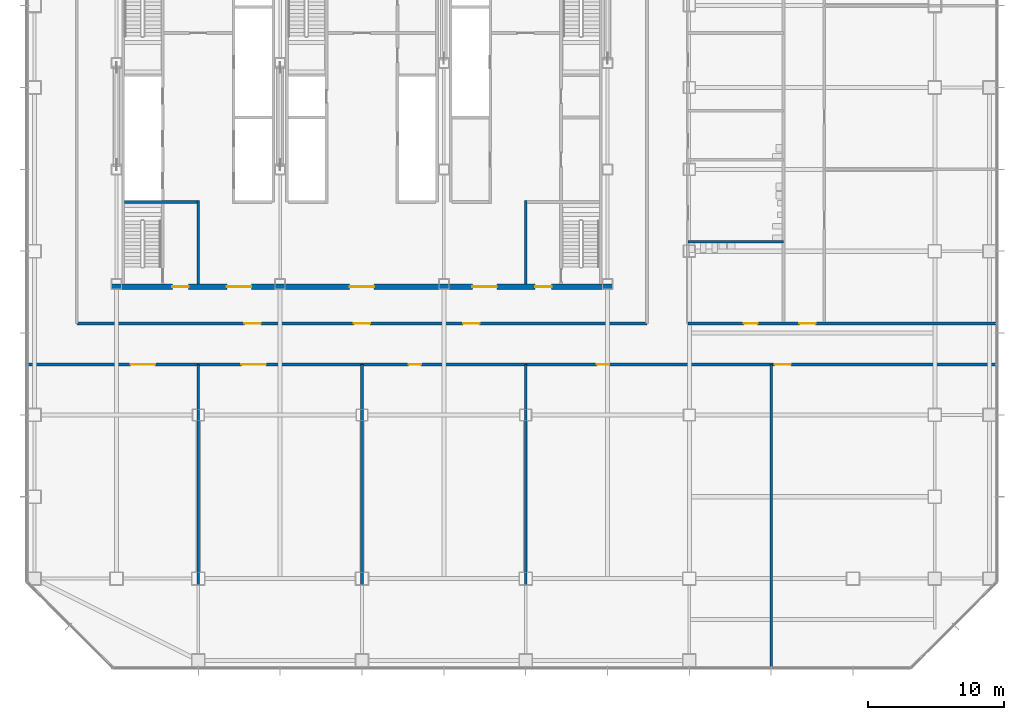
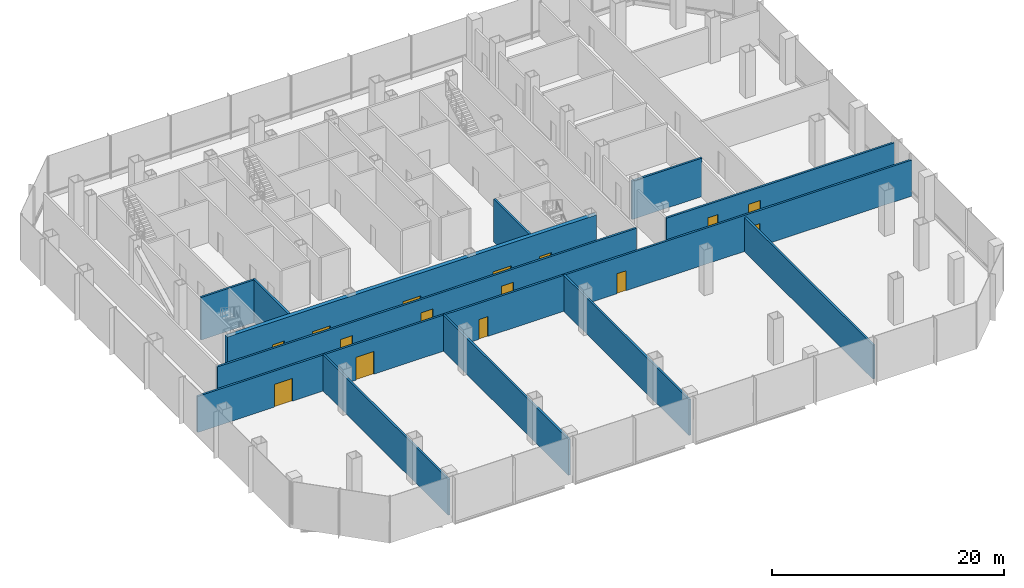
# One storey, part 23 of 34: 15 doors, 12 walls, 15 openings.
"""IFC4 building model written with IfcOpenShell, lengths in metres."""

from ifc_helpers import new_model, si_unit, direction, frame, frame_2d, origin, place, context, subcontext, project, spatial, rectangle, extrude, material, layer, layer_set, type_object, element, fill, save


model = new_model("IFC4")

# Units and contexts
model_context = context("Model", 3, precision=1e-05, world=origin(), true_north=direction((0.0, 1.0)))
body_context = subcontext(model_context, "Body", "Model", "MODEL_VIEW")
ifc_project = project(units=[si_unit("LENGTHUNIT", "METRE"), si_unit("AREAUNIT", "SQUARE_METRE"), si_unit("VOLUMEUNIT", "CUBIC_METRE"), si_unit("PLANEANGLEUNIT", "RADIAN"), si_unit("MASSUNIT", "GRAM", prefix="KILO")], contexts=[model_context])

# Site, building, storey
site_placement = place(None, origin())
site = spatial("IfcSite", under=ifc_project, at=site_placement, CompositionType="ELEMENT")
building_placement = place(site_placement, origin())
building = spatial("IfcBuilding", under=site, at=building_placement, Name="Sorahane Residences", CompositionType="ELEMENT")
storey_placement = place(building_placement, frame((0.0, 0.0, 39.60009765625)))
storey = spatial("IfcBuildingStorey", under=building, at=storey_placement, Name="L06", CompositionType="ELEMENT", Elevation=39.60009765625)

# Walls
ifc_material_1 = material(Name="Concrete blockwork C20 wall", Category="masonry")
ifc_layer_1 = layer(ifc_material_1, 0.199951171875)
ifc_layer_set_1 = layer_set([ifc_layer_1], Name="Corridor wall 200 EI 120")
wall_type_1 = type_object("IfcWallType", Name="Corridor wall 200 EI 120", PredefinedType="SOLIDWALL", material=ifc_layer_set_1)
for number, where, z_axis, x_axis, name in (
    (1, (12.0, -6.0, 0.0), (0.0, 0.0, 1.0), (0.0, 1.0, 0.0), "L06 corridor wall"),
    (2, (24.0, -6.0, 0.0), (0.0, 0.0, 1.0), (0.0, 1.0, 0.0), "L06 corridor wall"),
    (3, (36.0, -6.0, 0.0), (0.0, 0.0, 1.0), (0.0, 1.0, 0.0), "L06 corridor wall"),
):
    element("IfcWall", number, at=place(storey_placement, frame(where, z_axis=z_axis, x_axis=x_axis)), inside=storey, type_object=wall_type_1, Name=name, PredefinedType="SOLIDWALL", context=body_context, shape_type="SweptSolid", body=[
        extrude(rectangle(XDim=21.699951171875, YDim=0.199951171875, at=frame_2d((10.85009765625, 0.0))), origin(), (0.0, 0.0, 1.0), 3.7998046875),
    ])
wall_1_placement = place(storey_placement, frame((54.0, -6.60009765625, 0.0), z_axis=(0.0, 0.0, 1.0), x_axis=(0.0, 1.0, 0.0)))
element("IfcWall", 4, at=wall_1_placement, inside=storey, type_object=wall_type_1, Name="L06 corridor wall", PredefinedType="SOLIDWALL", context=body_context, shape_type="SweptSolid", body=[
    extrude(rectangle(XDim=22.300048828125, YDim=0.199951171875, at=frame_2d((11.14990234375, 0.0))), origin(), (0.0, 0.0, 1.0), 3.599853515625),
])

# Wall, openings, doors
wall_2_placement = place(storey_placement, frame((-0.60009765625, 15.699951171875, 0.0), z_axis=(0.0, 0.0, 1.0), x_axis=(1.0, 0.0, 0.0)))
wall_2 = element("IfcWall", 5, at=wall_2_placement, inside=storey, type_object=wall_type_1, Name="L06 corridor wall", PredefinedType="SOLIDWALL", context=body_context, shape_type="SweptSolid", body=[
    extrude(rectangle(XDim=71.2001953125, YDim=0.199951171875, at=frame_2d((35.60009765625, 0.0))), origin(), (0.0, 0.0, 1.0), 3.7998046875),
])
opening_1_placement = place(wall_2_placement, frame((7.639892578125, 0.0, 0.0)))
opening_1 = element("IfcOpeningElement", 6, at=opening_1_placement, cuts=wall_2, Name="Opening L06-01", PredefinedType="OPENING", context=body_context, shape_type="SweptSolid", body=[
    extrude(rectangle(XDim=1.800048828125, YDim=2.39990234375, at=frame_2d((0.89990234375, 1.199951171875))), frame((0.0, 0.10986328125, 0.0), z_axis=(0.0, -1.0, 0.0), x_axis=(1.0, 0.0, 0.0)), (0.0, 0.0, 1.0), 0.219970703125),
])
opening_2_placement = place(wall_2_placement, frame((15.760009765625, 0.0, 0.0)))
opening_2 = element("IfcOpeningElement", 7, at=opening_2_placement, cuts=wall_2, Name="Opening L06-02", PredefinedType="OPENING", context=body_context, shape_type="SweptSolid", body=[
    extrude(rectangle(XDim=1.800048828125, YDim=2.39990234375, at=frame_2d((0.89990234375, 1.199951171875))), frame((0.0, 0.10986328125, 0.0), z_axis=(0.0, -1.0, 0.0), x_axis=(1.0, 0.0, 0.0)), (0.0, 0.0, 1.0), 0.219970703125),
])
opening_3_placement = place(wall_2_placement, frame((28.030029296875, 0.0, 0.0)))
opening_3 = element("IfcOpeningElement", 8, at=opening_3_placement, cuts=wall_2, Name="Opening L06-03", PredefinedType="OPENING", context=body_context, shape_type="SweptSolid", body=[
    extrude(rectangle(XDim=0.89990234375, YDim=2.10009765625, at=frame_2d((0.449951171875, 1.050048828125))), frame((0.0, 0.10986328125, 0.0), z_axis=(0.0, -1.0, 0.0), x_axis=(1.0, 0.0, 0.0)), (0.0, 0.0, 1.0), 0.219970703125),
])
opening_4_placement = place(wall_2_placement, frame((41.830078125, 0.0, 0.0)))
opening_4 = element("IfcOpeningElement", 9, at=opening_4_placement, cuts=wall_2, Name="Opening L06-04", PredefinedType="OPENING", context=body_context, shape_type="SweptSolid", body=[
    extrude(rectangle(XDim=0.89990234375, YDim=2.10009765625, at=frame_2d((0.449951171875, 1.050048828125))), frame((0.0, 0.10986328125, 0.0), z_axis=(0.0, -1.0, 0.0), x_axis=(1.0, 0.0, 0.0)), (0.0, 0.0, 1.0), 0.219970703125),
])
opening_5_placement = place(wall_2_placement, frame((54.85009765625, 0.0, 0.0)))
opening_5 = element("IfcOpeningElement", 10, at=opening_5_placement, cuts=wall_2, Name="Opening L06-05", PredefinedType="OPENING", context=body_context, shape_type="SweptSolid", body=[
    extrude(rectangle(XDim=1.199951171875, YDim=2.39990234375, at=frame_2d((0.60009765625, 1.199951171875))), frame((0.0, 0.10986328125, 0.0), z_axis=(0.0, -1.0, 0.0), x_axis=(1.0, 0.0, 0.0)), (0.0, 0.0, 1.0), 0.219970703125),
])
ifc_material_2 = material(Name="Timber veneered fire door", Category="wood")
door_type_1 = type_object("IfcDoorType", Name="Double door 1800x2400 FD30", OperationType="NOTDEFINED", PredefinedType="DOOR", material=ifc_material_2)
door_1_placement = place(opening_1_placement, origin())
door_1 = element("IfcDoor", 11, at=door_1_placement, inside=storey, type_object=door_type_1, Name="Double door L06-01", OperationType="SINGLE_SWING_RIGHT", OverallHeight=2.39990234375, OverallWidth=1.800048828125, PredefinedType="DOOR", context=body_context, shape_type="SweptSolid", body=[
    extrude(rectangle(XDim=1.800048828125, YDim=2.39990234375, at=frame_2d((0.89990234375, 1.199951171875))), frame((0.0, 0.02490234375, 0.0), z_axis=(0.0, -1.0, 0.0), x_axis=(1.0, 0.0, 0.0)), (0.0, 0.0, 1.0), 0.050048828125),
])
fill(opening_1, door_1)
door_2_placement = place(opening_2_placement, origin())
door_2 = element("IfcDoor", 12, at=door_2_placement, inside=storey, type_object=door_type_1, Name="Double door L06-02", OperationType="SINGLE_SWING_RIGHT", OverallHeight=2.39990234375, OverallWidth=1.800048828125, PredefinedType="DOOR", context=body_context, shape_type="SweptSolid", body=[
    extrude(rectangle(XDim=1.800048828125, YDim=2.39990234375, at=frame_2d((0.89990234375, 1.199951171875))), frame((0.0, 0.02490234375, 0.0), z_axis=(0.0, -1.0, 0.0), x_axis=(1.0, 0.0, 0.0)), (0.0, 0.0, 1.0), 0.050048828125),
])
fill(opening_2, door_2)
ifc_material_3 = material(Name="Steel", Category="steel")
door_type_2 = type_object("IfcDoorType", Name="Plant door 1200x2400 FD60", OperationType="NOTDEFINED", PredefinedType="DOOR", material=ifc_material_3)
door_3_placement = place(opening_5_placement, frame((1.199951171875, 0.0, 0.0), z_axis=(0.0, 0.0, 1.0), x_axis=(-1.0, 0.0, 0.0)))
door_3 = element("IfcDoor", 13, at=door_3_placement, inside=storey, type_object=door_type_2, Name="Plant door L06-05", OperationType="SINGLE_SWING_RIGHT", OverallHeight=2.39990234375, OverallWidth=1.199951171875, PredefinedType="DOOR", context=body_context, shape_type="SweptSolid", body=[
    extrude(rectangle(XDim=1.199951171875, YDim=2.39990234375, at=frame_2d((0.60009765625, 1.199951171875))), frame((0.0, 0.02490234375, 0.0), z_axis=(0.0, -1.0, 0.0), x_axis=(1.0, 0.0, 0.0)), (0.0, 0.0, 1.0), 0.050048828125),
])
fill(opening_5, door_3)
ifc_material_4 = material(Name="Timber veneered fire door", Category="wood")
door_type_3 = type_object("IfcDoorType", Name="Service door 900x2100 FD30", OperationType="NOTDEFINED", PredefinedType="DOOR", material=ifc_material_4)
door_4_placement = place(opening_3_placement, frame((0.89990234375, 0.0, 0.0), z_axis=(0.0, 0.0, 1.0), x_axis=(-1.0, 0.0, 0.0)))
door_4 = element("IfcDoor", 14, at=door_4_placement, inside=storey, type_object=door_type_3, Name="Service door L06-03", OperationType="SINGLE_SWING_RIGHT", OverallHeight=2.10009765625, OverallWidth=0.89990234375, PredefinedType="DOOR", context=body_context, shape_type="SweptSolid", body=[
    extrude(rectangle(XDim=0.89990234375, YDim=2.10009765625, at=frame_2d((0.449951171875, 1.050048828125))), frame((0.0, 0.02490234375, 0.0), z_axis=(0.0, -1.0, 0.0), x_axis=(1.0, 0.0, 0.0)), (0.0, 0.0, 1.0), 0.050048828125),
])
fill(opening_3, door_4)
door_5_placement = place(opening_4_placement, frame((0.89990234375, 0.0, 0.0), z_axis=(0.0, 0.0, 1.0), x_axis=(-1.0, 0.0, 0.0)))
door_5 = element("IfcDoor", 15, at=door_5_placement, inside=storey, type_object=door_type_3, Name="Service door L06-04", OperationType="SINGLE_SWING_LEFT", OverallHeight=2.10009765625, OverallWidth=0.89990234375, PredefinedType="DOOR", context=body_context, shape_type="SweptSolid", body=[
    extrude(rectangle(XDim=0.89990234375, YDim=2.10009765625, at=frame_2d((0.449951171875, 1.050048828125))), frame((0.0, 0.02490234375, 0.0), z_axis=(0.0, -1.0, 0.0), x_axis=(1.0, 0.0, 0.0)), (0.0, 0.0, 1.0), 0.050048828125),
])
fill(opening_4, door_5)

wall_3_placement = place(storey_placement, frame((3.10009765625, 18.699951171875, 0.0), z_axis=(0.0, 0.0, 1.0), x_axis=(1.0, 0.0, 0.0)))
wall_3 = element("IfcWall", 16, at=wall_3_placement, inside=storey, type_object=wall_type_1, Name="L06 corridor wall", PredefinedType="SOLIDWALL", context=body_context, shape_type="SweptSolid", body=[
    extrude(rectangle(XDim=41.7998046875, YDim=0.199951171875, at=frame_2d((20.89990234375, 0.0))), origin(), (0.0, 0.0, 1.0), 3.7998046875),
])
opening_6_placement = place(wall_3_placement, frame((20.300048828125, 0.0, 0.0)))
opening_6 = element("IfcOpeningElement", 17, at=opening_6_placement, cuts=wall_3, Name="Opening L06-16", PredefinedType="OPENING", context=body_context, shape_type="SweptSolid", body=[
    extrude(rectangle(XDim=1.199951171875, YDim=2.39990234375, at=frame_2d((0.60009765625, 1.199951171875))), frame((0.0, 0.10986328125, 0.0), z_axis=(0.0, -1.0, 0.0), x_axis=(1.0, 0.0, 0.0)), (0.0, 0.0, 1.0), 0.219970703125),
])
opening_7_placement = place(wall_3_placement, frame((12.280029296875, 0.0, 0.0)))
opening_7 = element("IfcOpeningElement", 18, at=opening_7_placement, cuts=wall_3, Name="Opening L06-17", PredefinedType="OPENING", context=body_context, shape_type="SweptSolid", body=[
    extrude(rectangle(XDim=1.199951171875, YDim=2.39990234375, at=frame_2d((0.60009765625, 1.199951171875))), frame((0.0, 0.10986328125, 0.0), z_axis=(0.0, -1.0, 0.0), x_axis=(1.0, 0.0, 0.0)), (0.0, 0.0, 1.0), 0.219970703125),
])
opening_8_placement = place(wall_3_placement, frame((28.320068359375, 0.0, 0.0)))
opening_8 = element("IfcOpeningElement", 19, at=opening_8_placement, cuts=wall_3, Name="Opening L06-18", PredefinedType="OPENING", context=body_context, shape_type="SweptSolid", body=[
    extrude(rectangle(XDim=1.199951171875, YDim=2.39990234375, at=frame_2d((0.60009765625, 1.199951171875))), frame((0.0, 0.10986328125, 0.0), z_axis=(0.0, -1.0, 0.0), x_axis=(1.0, 0.0, 0.0)), (0.0, 0.0, 1.0), 0.219970703125),
])
ifc_material_5 = material(Name="Steel", Category="steel")
door_type_4 = type_object("IfcDoorType", Name="Lobby door 1200x2400 FD60", OperationType="NOTDEFINED", PredefinedType="DOOR", material=ifc_material_5)
door_6_placement = place(opening_6_placement, frame((1.199951171875, 0.0, 0.0), z_axis=(0.0, 0.0, 1.0), x_axis=(-1.0, 0.0, 0.0)))
door_6 = element("IfcDoor", 20, at=door_6_placement, inside=storey, type_object=door_type_4, Name="Lobby door L06-16", OperationType="SINGLE_SWING_LEFT", OverallHeight=2.39990234375, OverallWidth=1.199951171875, PredefinedType="DOOR", context=body_context, shape_type="SweptSolid", body=[
    extrude(rectangle(XDim=1.199951171875, YDim=2.39990234375, at=frame_2d((0.60009765625, 1.199951171875))), frame((0.0, 0.02490234375, 0.0), z_axis=(0.0, -1.0, 0.0), x_axis=(1.0, 0.0, 0.0)), (0.0, 0.0, 1.0), 0.050048828125),
])
fill(opening_6, door_6)
door_7_placement = place(opening_7_placement, frame((1.199951171875, 0.0, 0.0), z_axis=(0.0, 0.0, 1.0), x_axis=(-1.0, 0.0, 0.0)))
door_7 = element("IfcDoor", 21, at=door_7_placement, inside=storey, type_object=door_type_4, Name="Lobby door L06-17", OperationType="SINGLE_SWING_RIGHT", OverallHeight=2.39990234375, OverallWidth=1.199951171875, PredefinedType="DOOR", context=body_context, shape_type="SweptSolid", body=[
    extrude(rectangle(XDim=1.199951171875, YDim=2.39990234375, at=frame_2d((0.60009765625, 1.199951171875))), frame((0.0, 0.02490234375, 0.0), z_axis=(0.0, -1.0, 0.0), x_axis=(1.0, 0.0, 0.0)), (0.0, 0.0, 1.0), 0.050048828125),
])
fill(opening_7, door_7)
door_8_placement = place(opening_8_placement, frame((1.199951171875, 0.0, 0.0), z_axis=(0.0, 0.0, 1.0), x_axis=(-1.0, 0.0, 0.0)))
door_8 = element("IfcDoor", 22, at=door_8_placement, inside=storey, type_object=door_type_4, Name="Lobby door L06-18", OperationType="SINGLE_SWING_RIGHT", OverallHeight=2.39990234375, OverallWidth=1.199951171875, PredefinedType="DOOR", context=body_context, shape_type="SweptSolid", body=[
    extrude(rectangle(XDim=1.199951171875, YDim=2.39990234375, at=frame_2d((0.60009765625, 1.199951171875))), frame((0.0, 0.02490234375, 0.0), z_axis=(0.0, -1.0, 0.0), x_axis=(1.0, 0.0, 0.0)), (0.0, 0.0, 1.0), 0.050048828125),
])
fill(opening_8, door_8)

wall_4_placement = place(storey_placement, frame((47.89990234375, 18.699951171875, 0.0), z_axis=(0.0, 0.0, 1.0), x_axis=(1.0, 0.0, 0.0)))
wall_4 = element("IfcWall", 23, at=wall_4_placement, inside=storey, type_object=wall_type_1, Name="L06 corridor wall", PredefinedType="SOLIDWALL", context=body_context, shape_type="SweptSolid", body=[
    extrude(rectangle(XDim=22.7001953125, YDim=0.199951171875, at=frame_2d((11.35009765625, 0.0))), origin(), (0.0, 0.0, 1.0), 3.7998046875),
])
opening_9_placement = place(wall_4_placement, frame((4.10009765625, 0.0, 0.0)))
opening_9 = element("IfcOpeningElement", 24, at=opening_9_placement, cuts=wall_4, Name="Opening L06-06", PredefinedType="OPENING", context=body_context, shape_type="SweptSolid", body=[
    extrude(rectangle(XDim=1.0, YDim=2.39990234375, at=frame_2d((0.5, 1.199951171875))), frame((0.0, 0.10986328125, 0.0), z_axis=(0.0, -1.0, 0.0), x_axis=(1.0, 0.0, 0.0)), (0.0, 0.0, 1.0), 0.219970703125),
])
opening_10_placement = place(wall_4_placement, frame((8.159912109375, 0.0, 0.0)))
opening_10 = element("IfcOpeningElement", 25, at=opening_10_placement, cuts=wall_4, Name="Opening L06-12", PredefinedType="OPENING", context=body_context, shape_type="SweptSolid", body=[
    extrude(rectangle(XDim=1.199951171875, YDim=2.39990234375, at=frame_2d((0.60009765625, 1.199951171875))), frame((0.0, 0.10986328125, 0.0), z_axis=(0.0, -1.0, 0.0), x_axis=(1.0, 0.0, 0.0)), (0.0, 0.0, 1.0), 0.219970703125),
])
door_9_placement = place(opening_10_placement, origin())
door_9 = element("IfcDoor", 26, at=door_9_placement, inside=storey, type_object=door_type_4, Name="Lobby door L06-12", OperationType="SINGLE_SWING_RIGHT", OverallHeight=2.39990234375, OverallWidth=1.199951171875, PredefinedType="DOOR", context=body_context, shape_type="SweptSolid", body=[
    extrude(rectangle(XDim=1.199951171875, YDim=2.39990234375, at=frame_2d((0.60009765625, 1.199951171875))), frame((0.0, 0.02490234375, 0.0), z_axis=(0.0, -1.0, 0.0), x_axis=(1.0, 0.0, 0.0)), (0.0, 0.0, 1.0), 0.050048828125),
])
fill(opening_10, door_9)
ifc_material_6 = material(Name="Timber veneered fire door", Category="wood")
door_type_5 = type_object("IfcDoorType", Name="Room door 1000x2400 FD30", OperationType="NOTDEFINED", PredefinedType="DOOR", material=ifc_material_6)
door_10_placement = place(opening_9_placement, origin())
door_10 = element("IfcDoor", 27, at=door_10_placement, inside=storey, type_object=door_type_5, Name="Room door L06-06", OperationType="SINGLE_SWING_LEFT", OverallHeight=2.39990234375, OverallWidth=1.0, PredefinedType="DOOR", context=body_context, shape_type="SweptSolid", body=[
    extrude(rectangle(XDim=1.0, YDim=2.39990234375, at=frame_2d((0.5, 1.199951171875))), frame((0.0, 0.02490234375, 0.0), z_axis=(0.0, -1.0, 0.0), x_axis=(1.0, 0.0, 0.0)), (0.0, 0.0, 1.0), 0.050048828125),
])
fill(opening_9, door_10)

# Walls
wall_5_placement = place(storey_placement, frame((47.89990234375, 24.699951171875, 0.0), z_axis=(0.0, 0.0, 1.0), x_axis=(1.0, 0.0, 0.0)))
element("IfcWall", 28, at=wall_5_placement, inside=storey, type_object=wall_type_1, Name="L06 corridor wall", PredefinedType="SOLIDWALL", context=body_context, shape_type="SweptSolid", body=[
    extrude(rectangle(XDim=7.0, YDim=0.199951171875, at=frame_2d((3.5, 0.0))), origin(), (0.0, 0.0, 1.0), 4.0498046875),
])
ifc_material_7 = material(Name="Concrete C30", Category="concrete")
ifc_layer_2 = layer(ifc_material_7, 0.199951171875)
ifc_layer_set_2 = layer_set([ifc_layer_2], Name="Front room wall 200 EI 120")
wall_type_2 = type_object("IfcWallType", Name="Front room wall 200 EI 120", PredefinedType="PARTITIONING", material=ifc_layer_set_2)
for number, where, z_axis, x_axis, name in (
    (29, (12.0, 21.60009765625, 0.0), (0.0, 0.0, 1.0), (0.0, 1.0, 0.0), "L06 front room wall"),
    (30, (36.0, 21.60009765625, 0.0), (0.0, 0.0, 1.0), (0.0, 1.0, 0.0), "L06 front room wall"),
):
    element("IfcWall", number, at=place(storey_placement, frame(where, z_axis=z_axis, x_axis=x_axis)), inside=storey, type_object=wall_type_2, Name=name, PredefinedType="PARTITIONING", context=body_context, shape_type="SweptSolid", body=[
        extrude(rectangle(XDim=6.099853515625, YDim=0.199951171875, at=frame_2d((3.0498046875, 0.0))), origin(), (0.0, 0.0, 1.0), 4.5),
    ])
ifc_material_8 = material(Name="Concrete C30", Category="concrete")
ifc_layer_3 = layer(ifc_material_8, 0.199951171875)
ifc_layer_set_3 = layer_set([ifc_layer_3], Name="Stair enclosure wall 200 EI 120")
wall_type_3 = type_object("IfcWallType", Name="Stair enclosure wall 200 EI 120", PredefinedType="SOLIDWALL", material=ifc_layer_set_3)
wall_6_placement = place(storey_placement, frame((6.60009765625, 27.60009765625, 0.0), z_axis=(0.0, 0.0, 1.0), x_axis=(1.0, 0.0, 0.0)))
element("IfcWall", 31, at=wall_6_placement, inside=storey, type_object=wall_type_3, Name="L06 stair enclosure wall", PredefinedType="SOLIDWALL", context=body_context, shape_type="SweptSolid", body=[
    extrude(rectangle(XDim=5.2998046875, YDim=0.199951171875, at=frame_2d((2.64990234375, 0.0))), origin(), (0.0, 0.0, 1.0), 4.5),
])

# Wall, openings, doors
ifc_material_9 = material(Name="Concrete C30", Category="concrete")
ifc_layer_4 = layer(ifc_material_9, 0.39990234375)
ifc_layer_set_4 = layer_set([ifc_layer_4], Name="Waiting hall wall 400 EI 120")
wall_type_4 = type_object("IfcWallType", Name="Waiting hall wall 400 EI 120", PredefinedType="SOLIDWALL", material=ifc_layer_set_4)
wall_7_placement = place(storey_placement, frame((5.60009765625, 21.39990234375, 0.0), z_axis=(0.0, 0.0, 1.0), x_axis=(1.0, 0.0, 0.0)))
wall_7 = element("IfcWall", 32, at=wall_7_placement, inside=storey, type_object=wall_type_4, Name="L06 waiting hall wall", PredefinedType="SOLIDWALL", context=body_context, shape_type="SweptSolid", body=[
    extrude(rectangle(XDim=36.7998046875, YDim=0.39990234375, at=frame_2d((18.39990234375, 0.0))), origin(), (0.0, 0.0, 1.0), 4.5),
])
opening_11_placement = place(wall_7_placement, frame((8.5, 0.0, 0.0)))
opening_11 = element("IfcOpeningElement", 33, at=opening_11_placement, cuts=wall_7, Name="Opening L06-C01", PredefinedType="OPENING", context=body_context, shape_type="SweptSolid", body=[
    extrude(rectangle(XDim=1.800048828125, YDim=2.10009765625, at=frame_2d((0.89990234375, 1.050048828125))), frame((0.0, 0.2099609375, 0.0), z_axis=(0.0, -1.0, 0.0), x_axis=(1.0, 0.0, 0.0)), (0.0, 0.0, 1.0), 0.419921875),
])
opening_12_placement = place(wall_7_placement, frame((17.5, 0.0, 0.0)))
opening_12 = element("IfcOpeningElement", 34, at=opening_12_placement, cuts=wall_7, Name="Opening L06-C02", PredefinedType="OPENING", context=body_context, shape_type="SweptSolid", body=[
    extrude(rectangle(XDim=1.800048828125, YDim=2.10009765625, at=frame_2d((0.89990234375, 1.050048828125))), frame((0.0, 0.2099609375, 0.0), z_axis=(0.0, -1.0, 0.0), x_axis=(1.0, 0.0, 0.0)), (0.0, 0.0, 1.0), 0.419921875),
])
opening_13_placement = place(wall_7_placement, frame((26.5, 0.0, 0.0)))
opening_13 = element("IfcOpeningElement", 35, at=opening_13_placement, cuts=wall_7, Name="Opening L06-C03", PredefinedType="OPENING", context=body_context, shape_type="SweptSolid", body=[
    extrude(rectangle(XDim=1.800048828125, YDim=2.10009765625, at=frame_2d((0.89990234375, 1.050048828125))), frame((0.0, 0.2099609375, 0.0), z_axis=(0.0, -1.0, 0.0), x_axis=(1.0, 0.0, 0.0)), (0.0, 0.0, 1.0), 0.419921875),
])
opening_14_placement = place(wall_7_placement, frame((4.5, 0.0, 0.0)))
opening_14 = element("IfcOpeningElement", 36, at=opening_14_placement, cuts=wall_7, Name="Opening L06-C04", PredefinedType="OPENING", context=body_context, shape_type="SweptSolid", body=[
    extrude(rectangle(XDim=1.199951171875, YDim=2.10009765625, at=frame_2d((0.60009765625, 1.050048828125))), frame((0.0, 0.2099609375, 0.0), z_axis=(0.0, -1.0, 0.0), x_axis=(1.0, 0.0, 0.0)), (0.0, 0.0, 1.0), 0.419921875),
])
opening_15_placement = place(wall_7_placement, frame((31.10009765625, 0.0, 0.0)))
opening_15 = element("IfcOpeningElement", 37, at=opening_15_placement, cuts=wall_7, Name="Opening L06-C05", PredefinedType="OPENING", context=body_context, shape_type="SweptSolid", body=[
    extrude(rectangle(XDim=1.199951171875, YDim=2.10009765625, at=frame_2d((0.60009765625, 1.050048828125))), frame((0.0, 0.2099609375, 0.0), z_axis=(0.0, -1.0, 0.0), x_axis=(1.0, 0.0, 0.0)), (0.0, 0.0, 1.0), 0.419921875),
])
ifc_material_10 = material(Name="Steel", Category="steel")
door_type_6 = type_object("IfcDoorType", Name="Stair front room door 1200x2100 FD120", OperationType="NOTDEFINED", PredefinedType="DOOR", material=ifc_material_10)
door_11_placement = place(opening_14_placement, frame((1.199951171875, 0.0, 0.0), z_axis=(0.0, 0.0, 1.0), x_axis=(-1.0, 0.0, 0.0)))
door_11 = element("IfcDoor", 38, at=door_11_placement, inside=storey, type_object=door_type_6, Name="Stair front room door Stair S4 front room L06", OperationType="SINGLE_SWING_LEFT", OverallHeight=2.10009765625, OverallWidth=1.199951171875, PredefinedType="DOOR", context=body_context, shape_type="SweptSolid", body=[
    extrude(rectangle(XDim=1.199951171875, YDim=2.10009765625, at=frame_2d((0.60009765625, 1.050048828125))), frame((0.0, 0.02490234375, 0.0), z_axis=(0.0, -1.0, 0.0), x_axis=(1.0, 0.0, 0.0)), (0.0, 0.0, 1.0), 0.050048828125),
])
fill(opening_14, door_11)
door_12_placement = place(opening_15_placement, frame((1.199951171875, 0.0, 0.0), z_axis=(0.0, 0.0, 1.0), x_axis=(-1.0, 0.0, 0.0)))
door_12 = element("IfcDoor", 39, at=door_12_placement, inside=storey, type_object=door_type_6, Name="Stair front room door Stair S5 front room L06", OperationType="SINGLE_SWING_LEFT", OverallHeight=2.10009765625, OverallWidth=1.199951171875, PredefinedType="DOOR", context=body_context, shape_type="SweptSolid", body=[
    extrude(rectangle(XDim=1.199951171875, YDim=2.10009765625, at=frame_2d((0.60009765625, 1.050048828125))), frame((0.0, 0.02490234375, 0.0), z_axis=(0.0, -1.0, 0.0), x_axis=(1.0, 0.0, 0.0)), (0.0, 0.0, 1.0), 0.050048828125),
])
fill(opening_15, door_12)
ifc_material_11 = material(Name="Steel", Category="steel")
door_type_7 = type_object("IfcDoorType", Name="Waiting hall door 1800x2100 FD60", OperationType="NOTDEFINED", PredefinedType="DOOR", material=ifc_material_11)
door_13_placement = place(opening_11_placement, frame((1.800048828125, 0.0, 0.0), z_axis=(0.0, 0.0, 1.0), x_axis=(-1.0, 0.0, 0.0)))
door_13 = element("IfcDoor", 40, at=door_13_placement, inside=storey, type_object=door_type_7, Name="Waiting hall door Residents' waiting hall L06", OperationType="SINGLE_SWING_LEFT", OverallHeight=2.10009765625, OverallWidth=1.800048828125, PredefinedType="DOOR", context=body_context, shape_type="SweptSolid", body=[
    extrude(rectangle(XDim=1.800048828125, YDim=2.10009765625, at=frame_2d((0.89990234375, 1.050048828125))), frame((0.0, 0.02490234375, 0.0), z_axis=(0.0, -1.0, 0.0), x_axis=(1.0, 0.0, 0.0)), (0.0, 0.0, 1.0), 0.050048828125),
])
fill(opening_11, door_13)
door_14_placement = place(opening_12_placement, frame((1.800048828125, 0.0, 0.0), z_axis=(0.0, 0.0, 1.0), x_axis=(-1.0, 0.0, 0.0)))
door_14 = element("IfcDoor", 41, at=door_14_placement, inside=storey, type_object=door_type_7, Name="Waiting hall door Residents' waiting hall L06", OperationType="SINGLE_SWING_LEFT", OverallHeight=2.10009765625, OverallWidth=1.800048828125, PredefinedType="DOOR", context=body_context, shape_type="SweptSolid", body=[
    extrude(rectangle(XDim=1.800048828125, YDim=2.10009765625, at=frame_2d((0.89990234375, 1.050048828125))), frame((0.0, 0.02490234375, 0.0), z_axis=(0.0, -1.0, 0.0), x_axis=(1.0, 0.0, 0.0)), (0.0, 0.0, 1.0), 0.050048828125),
])
fill(opening_12, door_14)
door_15_placement = place(opening_13_placement, frame((1.800048828125, 0.0, 0.0), z_axis=(0.0, 0.0, 1.0), x_axis=(-1.0, 0.0, 0.0)))
door_15 = element("IfcDoor", 42, at=door_15_placement, inside=storey, type_object=door_type_7, Name="Waiting hall door Residents' waiting hall L06", OperationType="SINGLE_SWING_LEFT", OverallHeight=2.10009765625, OverallWidth=1.800048828125, PredefinedType="DOOR", context=body_context, shape_type="SweptSolid", body=[
    extrude(rectangle(XDim=1.800048828125, YDim=2.10009765625, at=frame_2d((0.89990234375, 1.050048828125))), frame((0.0, 0.02490234375, 0.0), z_axis=(0.0, -1.0, 0.0), x_axis=(1.0, 0.0, 0.0)), (0.0, 0.0, 1.0), 0.050048828125),
])
fill(opening_13, door_15)

save(model, "model.ifc")
